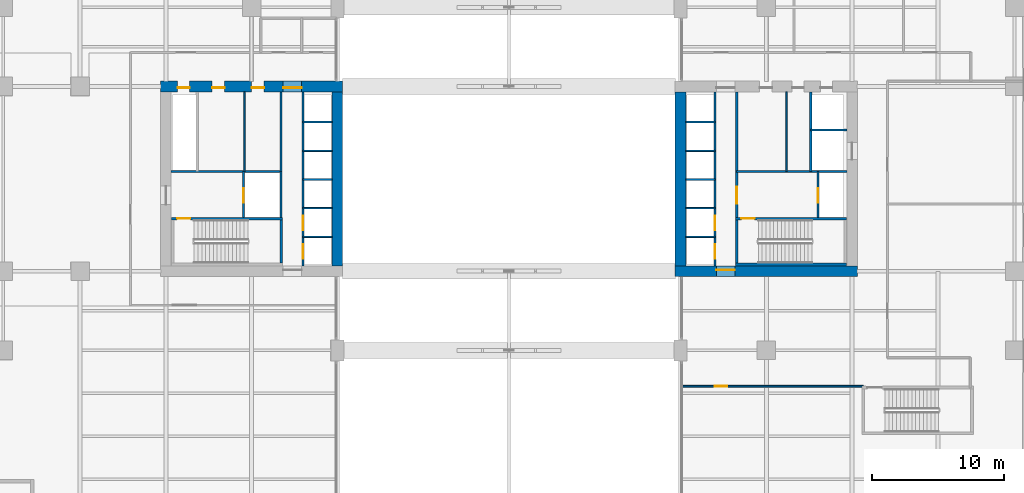
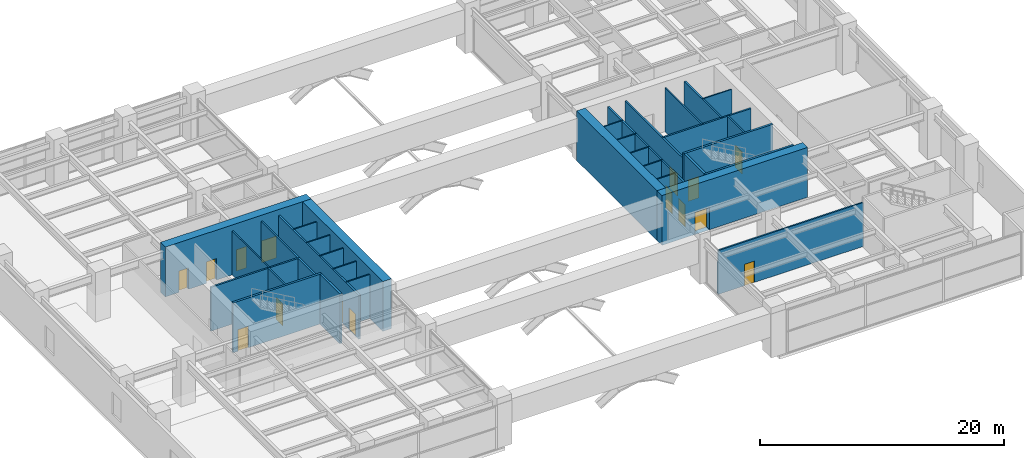
# One storey, part 16 of 23: 33 walls, 15 doors, 15 openings.
"""IFC4 building model written with IfcOpenShell, lengths in metres."""

import ifcopenshell
import ifcopenshell.guid

model = None  # the IFC model being written
_history = None  # IfcOwnerHistory: only IFC2X3 demands one
_inside = {}  # id of a spatial element -> (the spatial element, [elements in it])
_under = {}  # id of a project, library or spatial element -> (it, [spatial elements below it])
_declared = {}  # id of a project -> (the project, [libraries it declares])
_typed = {}  # id of a type object -> (the type object, [elements of that type])
_made_of = {}  # id of a material, layer set ... -> (it, [elements and type objects made of it])


def new_model(schema):
    """Start an empty IFC model of exactly this schema.

    Asked for "IFC4X3", IfcOpenShell would pick the latest addendum, in which some entities
    have other attributes; the version numbers below select the first issue.
    IFC2X3 requires an IfcOwnerHistory on every rooted entity: one is made here for all.
    """
    global model, _history
    if schema == "IFC4X3":
        model = ifcopenshell.file(schema_version=(4, 3, 0, 0))
    else:
        model = ifcopenshell.file(schema=schema)
    _inside.clear()
    _under.clear()
    _declared.clear()
    _typed.clear()
    _made_of.clear()
    _history = None
    if model.schema == "IFC2X3":
        org = make("IfcOrganization", Name="unknown")
        user = make(
            "IfcPersonAndOrganization",
            ThePerson=make("IfcPerson", FamilyName="unknown"),
            TheOrganization=org,
        )
        app = make(
            "IfcApplication",
            ApplicationDeveloper=org,
            Version="unknown",
            ApplicationFullName="unknown",
            ApplicationIdentifier="unknown",
        )
        _history = make(
            "IfcOwnerHistory",
            OwningUser=user,
            OwningApplication=app,
            ChangeAction="ADDED",
            CreationDate=0,
        )
    return model


def make(cls, **values):
    """One entity of the class cls with the attributes given. An attribute that is None is left unset."""
    return model.create_entity(
        cls, **{name: value for name, value in values.items() if value is not None}
    )


def rooted(cls, **values):
    """An entity with a GlobalId (a new one), such as an element, a storey or a relation."""
    return make(cls, GlobalId=ifcopenshell.guid.new(), OwnerHistory=_history, **values)


def si_unit(unit_type, name, prefix=None):
    """IfcSIUnit, for example si_unit("LENGTHUNIT", "METRE", prefix="MILLI")."""
    return make("IfcSIUnit", UnitType=unit_type, Prefix=prefix, Name=name)


def assignment(units):
    """IfcUnitAssignment: the units of a project."""
    return None if units is None else make("IfcUnitAssignment", Units=units)


def point(xyz):
    """IfcCartesianPoint."""
    return None if xyz is None else make("IfcCartesianPoint", Coordinates=xyz)


def direction(xyz):
    """IfcDirection."""
    return None if xyz is None else make("IfcDirection", DirectionRatios=xyz)


def frame(location, z_axis=None, x_axis=None):
    """IfcAxis2Placement3D, a coordinate frame: its origin and axes. An axis left out is left unset."""
    return make(
        "IfcAxis2Placement3D",
        Location=point(location),
        Axis=direction(z_axis),
        RefDirection=direction(x_axis),
    )


def frame_2d(location, x_axis=None):
    """IfcAxis2Placement2D, a coordinate frame in the plane: its origin and x axis."""
    return make(
        "IfcAxis2Placement2D", Location=point(location), RefDirection=direction(x_axis)
    )


def origin():
    """The frame at (0, 0, 0) with its axes left unset."""
    return frame((0.0, 0.0, 0.0))


def place(relative_to, where):
    """IfcLocalPlacement: puts the frame where relative to a parent placement (None: the world)."""
    return make(
        "IfcLocalPlacement", PlacementRelTo=relative_to, RelativePlacement=where
    )


def context(
    kind, dimensions, precision=None, world=None, true_north=None, identifier=None
):
    """IfcGeometricRepresentationContext, for example the 3D "Model" context."""
    return make(
        "IfcGeometricRepresentationContext",
        ContextIdentifier=identifier,
        ContextType=kind,
        CoordinateSpaceDimension=dimensions,
        Precision=precision,
        WorldCoordinateSystem=world,
        TrueNorth=true_north,
    )


def subcontext(parent, identifier, kind, view, scale=None):
    """IfcGeometricRepresentationSubContext, for example "Body" below "Model"."""
    return make(
        "IfcGeometricRepresentationSubContext",
        ContextIdentifier=identifier,
        ContextType=kind,
        ParentContext=parent,
        TargetScale=scale,
        TargetView=view,
    )


def project(units=None, contexts=None):
    """IfcProject with its units and contexts."""
    return rooted(
        "IfcProject",
        Name="project",
        RepresentationContexts=contexts,
        UnitsInContext=assignment(units),
    )


def spatial(cls, under=None, at=None, **own):
    """A site, building, storey or space (cls), placed at a placement, below another one or the project."""
    s = rooted(cls, ObjectPlacement=at, **own)
    if under is not None:
        _under.setdefault(under.id(), (under, []))[1].append(s)
    return s


def profile(cls, at=None, kind="AREA", **sizes):
    """A parametric profile (cls). Its sizes go by their IFC names, for example OverallWidth=200.0."""
    return make(cls, ProfileType=kind, Position=at, **sizes)


def rectangle(**sizes):
    """IfcRectangleProfileDef."""
    return profile("IfcRectangleProfileDef", **sizes)


def extrude(swept, where, along, depth):
    """IfcExtrudedAreaSolid: the profile swept, set in the frame where, extruded along a direction by depth."""
    return make(
        "IfcExtrudedAreaSolid",
        SweptArea=swept,
        Position=where,
        ExtrudedDirection=direction(along),
        Depth=depth,
    )


def shape(context_of_items, identifier, shape_type, items):
    """IfcShapeRepresentation: the items that make up one representation, for example the "Body"."""
    return make(
        "IfcShapeRepresentation",
        ContextOfItems=context_of_items,
        RepresentationIdentifier=identifier,
        RepresentationType=shape_type,
        Items=items,
    )


def material(Name=None, Category=None):
    """IfcMaterial."""
    return make("IfcMaterial", Name=Name, Category=Category)


def layer(
    of_material, thickness, ventilated=None, Name=None, Category=None, Priority=None
):
    """IfcMaterialLayer: one layer of a wall or slab, of a material (None: an air gap)."""
    return make(
        "IfcMaterialLayer",
        Material=of_material,
        LayerThickness=thickness,
        IsVentilated=ventilated,
        Name=Name,
        Category=Category,
        Priority=Priority,
    )


def layer_set(layers, Name=None):
    """IfcMaterialLayerSet."""
    return make("IfcMaterialLayerSet", MaterialLayers=layers, LayerSetName=Name)


def made_of(thing, what):
    """Note that an element or type object is made of a material, layer set ...; save() writes the relation."""
    if what is not None:
        _made_of.setdefault(what.id(), (what, []))[1].append(thing)
    return thing


def type_object(cls, material=None, **own):
    """A type object (cls), such as IfcWallType, which elements share."""
    return made_of(rooted(cls, **own), material)


def element(
    cls,
    number,
    at=None,
    inside=None,
    cuts=None,
    type_object=None,
    material=None,
    context=None,
    identifier="Body",
    shape_type=None,
    held_by="IfcProductDefinitionShape",
    body=None,
    shapes=None,
    **own,
):
    """One element of the class cls, such as IfcWall. Its Tag is "e" and its number.

    at: its placement. inside: the storey or other place that contains it. cuts: it is an
    opening in that element (IfcRelVoidsElement). A single representation is given by context,
    identifier, shape_type and body (its items); several are given by shapes. held_by: the class
    of the entity that holds the representations. save() writes the other relations.
    """
    e = rooted(cls, Tag="e%d" % number, ObjectPlacement=at, **own)
    if body is not None:
        shapes = [shape(context, identifier, shape_type, body)]
    if shapes is not None:
        e.Representation = make(held_by, Representations=shapes)
    if inside is not None:
        _inside.setdefault(inside.id(), (inside, []))[1].append(e)
    if cuts is not None:
        rooted(
            "IfcRelVoidsElement", RelatingBuildingElement=cuts, RelatedOpeningElement=e
        )
    if type_object is not None:
        _typed.setdefault(type_object.id(), (type_object, []))[1].append(e)
    return made_of(e, material)


def fill(opening, filler):
    """IfcRelFillsElement: the door or window that sits in an opening."""
    return rooted(
        "IfcRelFillsElement",
        RelatingOpeningElement=opening,
        RelatedBuildingElement=filler,
    )


def aggregate(whole, parts):
    """IfcRelAggregates: a whole, such as a stair, and the parts it consists of."""
    return rooted("IfcRelAggregates", RelatingObject=whole, RelatedObjects=parts)


def save(model, path):
    """Write the relations noted so far, then the file.

    IfcRelAggregates (storeys below a building ...), IfcRelContainedInSpatialStructure (elements
    in a storey), IfcRelDefinesByType, IfcRelAssociatesMaterial and IfcRelDeclares: one each for
    every whole, place, type object, material and project.
    """
    for whole, parts in _under.values():
        aggregate(whole, parts)
    for where, things in _inside.values():
        rooted(
            "IfcRelContainedInSpatialStructure",
            RelatedElements=things,
            RelatingStructure=where,
        )
    for kind, things in _typed.values():
        rooted("IfcRelDefinesByType", RelatedObjects=things, RelatingType=kind)
    for what, things in _made_of.values():
        rooted("IfcRelAssociatesMaterial", RelatedObjects=things, RelatingMaterial=what)
    for by, libraries in _declared.values():
        rooted("IfcRelDeclares", RelatingContext=by, RelatedDefinitions=libraries)
    model.write(path)


model = new_model("IFC4")

# Units and contexts
model_context = context("Model", 3, precision=1e-05, world=origin(), true_north=direction((0.0, 1.0)))
body_context = subcontext(model_context, "Body", "Model", "MODEL_VIEW")
ifc_project = project(units=[si_unit("LENGTHUNIT", "METRE"), si_unit("AREAUNIT", "SQUARE_METRE"), si_unit("VOLUMEUNIT", "CUBIC_METRE"), si_unit("PLANEANGLEUNIT", "RADIAN"), si_unit("MASSUNIT", "GRAM", prefix="KILO")], contexts=[model_context])

# Site, building, storey
site_placement = place(None, origin())
site = spatial("IfcSite", under=ifc_project, at=site_placement, CompositionType="ELEMENT")
building_placement = place(site_placement, origin())
building = spatial("IfcBuilding", under=site, at=building_placement, Name="Putna Gate Headquarters", CompositionType="ELEMENT")
storey_placement = place(building_placement, frame((0.0, 0.0, 17.0)))
storey = spatial("IfcBuildingStorey", under=building, at=storey_placement, Name="L03", CompositionType="ELEMENT", Elevation=17.0)

# Wall, openings, doors
ifc_material_1 = material(Name="Concrete C60/75", Category="concrete")
ifc_layer_1 = layer(ifc_material_1, 0.800048828125)
ifc_layer_set_1 = layer_set([ifc_layer_1], Name="Concrete C60/75")
wall_type_1 = type_object("IfcWallType", Name="WALL-CORE-800", PredefinedType="SHEAR", material=ifc_layer_set_1)
wall_1_placement = place(storey_placement, frame((12.60009765625, 33.0, 0.0), z_axis=(0.0, 0.0, 1.0), x_axis=(1.0, 0.0, 0.0)))
wall_1 = element("IfcWall", 1, at=wall_1_placement, inside=storey, type_object=wall_type_1, Name="L03 WC Split Core Shear Wall N", PredefinedType="SHEAR", context=body_context, shape_type="SweptSolid", body=[
    extrude(rectangle(XDim=13.7998046875, YDim=0.800048828125, at=frame_2d((6.89990234375, 0.0))), origin(), (0.0, 0.0, 1.0), 5.0),
])
opening_1_placement = place(wall_1_placement, frame((1.300048828125, 0.0, 0.0)))
opening_1 = element("IfcOpeningElement", 2, at=opening_1_placement, cuts=wall_1, Name="Opening RD-90", PredefinedType="OPENING", context=body_context, shape_type="SweptSolid", body=[
    extrude(rectangle(XDim=0.89990234375, YDim=2.14990234375, at=frame_2d((0.449951171875, 1.074951171875))), frame((0.0, 0.409912109375, 0.0), z_axis=(0.0, -1.0, 0.0), x_axis=(1.0, 0.0, 0.0)), (0.0, 0.0, 1.0), 0.820068359375),
])
opening_2_placement = place(wall_1_placement, frame((3.89990234375, 0.0, 0.0)))
opening_2 = element("IfcOpeningElement", 3, at=opening_2_placement, cuts=wall_1, Name="Opening IDS-95", PredefinedType="OPENING", context=body_context, shape_type="SweptSolid", body=[
    extrude(rectangle(XDim=0.949951171875, YDim=2.14990234375, at=frame_2d((0.47509765625, 1.074951171875))), frame((0.0, 0.409912109375, 0.0), z_axis=(0.0, -1.0, 0.0), x_axis=(1.0, 0.0, 0.0)), (0.0, 0.0, 1.0), 0.820068359375),
])
opening_3_placement = place(wall_1_placement, frame((6.89990234375, 0.0, 0.0)))
opening_3 = element("IfcOpeningElement", 4, at=opening_3_placement, cuts=wall_1, Name="Opening IDS-95", PredefinedType="OPENING", context=body_context, shape_type="SweptSolid", body=[
    extrude(rectangle(XDim=0.949951171875, YDim=2.14990234375, at=frame_2d((0.47509765625, 1.074951171875))), frame((0.0, 0.409912109375, 0.0), z_axis=(0.0, -1.0, 0.0), x_axis=(1.0, 0.0, 0.0)), (0.0, 0.0, 1.0), 0.820068359375),
])
opening_4_placement = place(wall_1_placement, frame((9.280029296875, 0.0, 0.0)))
opening_4 = element("IfcOpeningElement", 5, at=opening_4_placement, cuts=wall_1, Name="Opening FDD-140", PredefinedType="OPENING", context=body_context, shape_type="SweptSolid", body=[
    extrude(rectangle(XDim=1.39990234375, YDim=2.199951171875, at=frame_2d((0.699951171875, 1.10009765625))), frame((0.0, 0.409912109375, 0.0), z_axis=(0.0, -1.0, 0.0), x_axis=(1.0, 0.0, 0.0)), (0.0, 0.0, 1.0), 0.820068359375),
])
ifc_material_2 = material(Name="Double steel fire door", Category="steel")
door_type_1 = type_object("IfcDoorType", Name="DOOR-FIRE-DBL-1400", OperationType="DOUBLE_DOOR_SINGLE_SWING", PredefinedType="DOOR", material=ifc_material_2)
door_1_placement = place(opening_4_placement, origin())
door_1 = element("IfcDoor", 6, at=door_1_placement, inside=storey, type_object=door_type_1, Name="L03 West Lift Lobby North Door", OperationType="DOUBLE_DOOR_SINGLE_SWING", OverallHeight=2.199951171875, OverallWidth=1.39990234375, PredefinedType="DOOR", context=body_context, shape_type="SweptSolid", body=[
    extrude(rectangle(XDim=1.39990234375, YDim=2.199951171875, at=frame_2d((0.699951171875, 1.10009765625))), frame((0.0, -0.0751953125, 0.0), z_axis=(0.0, -1.0, 0.0), x_axis=(1.0, 0.0, 0.0)), (0.0, 0.0, 1.0), 0.050048828125),
])
fill(opening_4, door_1)
ifc_material_3 = material(Name="Fire-rated service timber door", Category="wood")
door_type_2 = type_object("IfcDoorType", Name="DOOR-INT-950", OperationType="NOTDEFINED", PredefinedType="DOOR", material=ifc_material_3)
door_2_placement = place(opening_2_placement, origin())
door_2 = element("IfcDoor", 7, at=door_2_placement, inside=storey, type_object=door_type_2, Name="L03 Cleaner Store Door", OperationType="SINGLE_SWING_LEFT", OverallHeight=2.14990234375, OverallWidth=0.949951171875, PredefinedType="DOOR", context=body_context, shape_type="SweptSolid", body=[
    extrude(rectangle(XDim=0.949951171875, YDim=2.14990234375, at=frame_2d((0.47509765625, 1.074951171875))), frame((0.0, -0.0751953125, 0.0), z_axis=(0.0, -1.0, 0.0), x_axis=(1.0, 0.0, 0.0)), (0.0, 0.0, 1.0), 0.050048828125),
])
fill(opening_2, door_2)
door_3_placement = place(opening_3_placement, origin())
door_3 = element("IfcDoor", 8, at=door_3_placement, inside=storey, type_object=door_type_2, Name="L03 Comms Plant Door", OperationType="SINGLE_SWING_RIGHT", OverallHeight=2.14990234375, OverallWidth=0.949951171875, PredefinedType="DOOR", context=body_context, shape_type="SweptSolid", body=[
    extrude(rectangle(XDim=0.949951171875, YDim=2.14990234375, at=frame_2d((0.47509765625, 1.074951171875))), frame((0.0, -0.0751953125, 0.0), z_axis=(0.0, -1.0, 0.0), x_axis=(1.0, 0.0, 0.0)), (0.0, 0.0, 1.0), 0.050048828125),
])
fill(opening_3, door_3)
ifc_material_4 = material(Name="Steel riser access fire door", Category="steel")
door_type_3 = type_object("IfcDoorType", Name="DOOR-RISER-900", OperationType="NOTDEFINED", PredefinedType="DOOR", material=ifc_material_4)
door_4_placement = place(opening_1_placement, origin())
door_4 = element("IfcDoor", 9, at=door_4_placement, inside=storey, type_object=door_type_3, Name="L03 West Riser Access Door", OperationType="SINGLE_SWING_RIGHT", OverallHeight=2.14990234375, OverallWidth=0.89990234375, PredefinedType="DOOR", context=body_context, shape_type="SweptSolid", body=[
    extrude(rectangle(XDim=0.89990234375, YDim=2.14990234375, at=frame_2d((0.449951171875, 1.074951171875))), frame((0.0, -0.0751953125, 0.0), z_axis=(0.0, -1.0, 0.0), x_axis=(1.0, 0.0, 0.0)), (0.0, 0.0, 1.0), 0.050048828125),
])
fill(opening_1, door_4)

# Wall
wall_2_placement = place(storey_placement, frame((26.0, 19.39990234375, 0.0), z_axis=(0.0, 0.0, 1.0), x_axis=(0.0, 1.0, 0.0)))
element("IfcWall", 10, at=wall_2_placement, inside=storey, type_object=wall_type_1, Name="L03 WC Split Core Shear Wall E", PredefinedType="SHEAR", context=body_context, shape_type="SweptSolid", body=[
    extrude(rectangle(XDim=13.2001953125, YDim=0.800048828125, at=frame_2d((6.60009765625, 0.0))), origin(), (0.0, 0.0, 1.0), 5.0),
])

# Wall, opening, door
wall_3_placement = place(storey_placement, frame((51.60009765625, 19.0, 0.0), z_axis=(0.0, 0.0, 1.0), x_axis=(1.0, 0.0, 0.0)))
wall_3 = element("IfcWall", 11, at=wall_3_placement, inside=storey, type_object=wall_type_1, Name="L03 EC Split Core Shear Wall S", PredefinedType="SHEAR", context=body_context, shape_type="SweptSolid", body=[
    extrude(rectangle(XDim=13.7998046875, YDim=0.800048828125, at=frame_2d((6.89990234375, 0.0))), origin(), (0.0, 0.0, 1.0), 5.0),
])
opening_5_placement = place(wall_3_placement, frame((3.1201171875, 0.0, 0.0)))
opening_5 = element("IfcOpeningElement", 12, at=opening_5_placement, cuts=wall_3, Name="Opening FDD-140", PredefinedType="OPENING", context=body_context, shape_type="SweptSolid", body=[
    extrude(rectangle(XDim=1.39990234375, YDim=2.199951171875, at=frame_2d((0.699951171875, 1.10009765625))), frame((0.0, 0.409912109375, 0.0), z_axis=(0.0, -1.0, 0.0), x_axis=(1.0, 0.0, 0.0)), (0.0, 0.0, 1.0), 0.820068359375),
])
door_5_placement = place(opening_5_placement, origin())
door_5 = element("IfcDoor", 13, at=door_5_placement, inside=storey, type_object=door_type_1, Name="L03 East Lift Lobby South Door", OperationType="DOUBLE_DOOR_SINGLE_SWING", OverallHeight=2.199951171875, OverallWidth=1.39990234375, PredefinedType="DOOR", context=body_context, shape_type="SweptSolid", body=[
    extrude(rectangle(XDim=1.39990234375, YDim=2.199951171875, at=frame_2d((0.699951171875, 1.10009765625))), frame((0.0, 0.125, 0.0), z_axis=(0.0, -1.0, 0.0), x_axis=(1.0, 0.0, 0.0)), (0.0, 0.0, 1.0), 0.050048828125),
])
fill(opening_5, door_5)

# Walls
wall_4_placement = place(storey_placement, frame((52.0, 19.39990234375, 0.0), z_axis=(0.0, 0.0, 1.0), x_axis=(0.0, 1.0, 0.0)))
element("IfcWall", 14, at=wall_4_placement, inside=storey, type_object=wall_type_1, Name="L03 EC Split Core Shear Wall W", PredefinedType="SHEAR", context=body_context, shape_type="SweptSolid", body=[
    extrude(rectangle(XDim=13.2001953125, YDim=0.800048828125, at=frame_2d((6.60009765625, 0.0))), origin(), (0.0, 0.0, 1.0), 5.0),
])
ifc_material_5 = material(Name="Fire-rated shaftwall gypsum board on metal stud")
ifc_layer_2 = layer(ifc_material_5, 0.1201171875)
ifc_layer_set_2 = layer_set([ifc_layer_2], Name="Fire-rated shaftwall gypsum board on metal stud")
wall_type_2 = type_object("IfcWallType", Name="WALL-PART-120-EI120", PredefinedType="PARTITIONING", material=ifc_layer_set_2)
for number, where, z_axis, x_axis, name in (
    (15, (23.39990234375, 21.610107421875, 0.0), (0.0, 0.0, 1.0), (1.0, 0.0, 0.0), "L03 Interior Wall CWINT-L03-WC-LF01-DIV"),
    (16, (23.39990234375, 23.780029296875, 0.0), (0.0, 0.0, 1.0), (1.0, 0.0, 0.0), "L03 Interior Wall CWINT-L03-WC-LF02-DIV"),
    (17, (23.39990234375, 25.949951171875, 0.0), (0.0, 0.0, 1.0), (1.0, 0.0, 0.0), "L03 Interior Wall CWINT-L03-WC-LF05-DIV"),
    (18, (23.39990234375, 28.1201171875, 0.0), (0.0, 0.0, 1.0), (1.0, 0.0, 0.0), "L03 Interior Wall CWINT-L03-WC-LF06-DIV"),
    (19, (23.39990234375, 30.31005859375, 0.0), (0.0, 0.0, 1.0), (1.0, 0.0, 0.0), "L03 Interior Wall CWINT-L03-WC-LF09-DIV"),
    (20, (52.39990234375, 21.610107421875, 0.0), (0.0, 0.0, 1.0), (1.0, 0.0, 0.0), "L03 Interior Wall CWINT-L03-EC-LF03-DIV"),
    (21, (52.39990234375, 23.780029296875, 0.0), (0.0, 0.0, 1.0), (1.0, 0.0, 0.0), "L03 Interior Wall CWINT-L03-EC-LF04-DIV"),
    (22, (52.39990234375, 25.949951171875, 0.0), (0.0, 0.0, 1.0), (1.0, 0.0, 0.0), "L03 Interior Wall CWINT-L03-EC-LF07-DIV"),
    (23, (52.39990234375, 28.1201171875, 0.0), (0.0, 0.0, 1.0), (1.0, 0.0, 0.0), "L03 Interior Wall CWINT-L03-EC-LF08-DIV"),
    (24, (52.39990234375, 30.31005859375, 0.0), (0.0, 0.0, 1.0), (1.0, 0.0, 0.0), "L03 Interior Wall CWINT-L03-EC-LF11-DIV"),
):
    element("IfcWall", number, at=place(storey_placement, frame(where, z_axis=z_axis, x_axis=x_axis)), inside=storey, type_object=wall_type_2, Name=name, PredefinedType="PARTITIONING", context=body_context, shape_type="SweptSolid", body=[
        extrude(rectangle(XDim=2.2001953125, YDim=0.1201171875, at=frame_2d((1.10009765625, 0.0))), origin(), (0.0, 0.0, 1.0), 4.39990234375),
    ])
wall_5_placement = place(storey_placement, frame((61.8701171875, 29.699951171875, 0.0), z_axis=(0.0, 0.0, 1.0), x_axis=(1.0, 0.0, 0.0)))
element("IfcWall", 25, at=wall_5_placement, inside=storey, type_object=wall_type_2, Name="L03 Interior Wall CWINT-L03-EC-LF15-N", PredefinedType="PARTITIONING", context=body_context, shape_type="SweptSolid", body=[
    extrude(rectangle(XDim=2.72998046875, YDim=0.1201171875, at=frame_2d((1.364990234375, 0.0))), origin(), (0.0, 0.0, 1.0), 4.39990234375),
])
ifc_material_6 = material(Name="Fire-rated gypsum board on metal stud")
ifc_layer_3 = layer(ifc_material_6, 0.1201171875)
ifc_layer_set_3 = layer_set([ifc_layer_3], Name="Fire-rated gypsum board on metal stud")
wall_type_3 = type_object("IfcWallType", Name="WALL-PART-120-RATED", PredefinedType="PARTITIONING", material=ifc_layer_set_3)
for number, where, z_axis, x_axis, name in (
    (26, (18.969970703125, 26.56005859375, 0.0), (0.0, 0.0, 1.0), (0.0, 1.0, 0.0), "L03 Interior Wall CWINT-L03-WC-K0-DIV"),
    (27, (60.02001953125, 26.56005859375, 0.0), (0.0, 0.0, 1.0), (0.0, 1.0, 0.0), "L03 Interior Wall CWINT-L03-EC-K0-DIV"),
):
    element("IfcWall", number, at=place(storey_placement, frame(where, z_axis=z_axis, x_axis=x_axis)), inside=storey, type_object=wall_type_3, Name=name, PredefinedType="PARTITIONING", context=body_context, shape_type="SweptSolid", body=[
        extrude(rectangle(XDim=6.0400390625, YDim=0.1201171875, at=frame_2d((3.02001953125, 0.0))), origin(), (0.0, 0.0, 1.0), 4.39990234375),
    ])

# Wall, opening, door
ifc_layer_4 = layer(ifc_material_6, 0.139892578125)
ifc_layer_set_4 = layer_set([ifc_layer_4], Name="Fire-rated gypsum board on metal stud")
wall_type_4 = type_object("IfcWallType", Name="WALL-PART-140", PredefinedType="PARTITIONING", material=ifc_layer_set_4)
wall_6_placement = place(storey_placement, frame((52.080078125, 10.280029296875, 0.0), z_axis=(0.0, 0.0, 1.0), x_axis=(1.0, 0.0, 0.0)))
wall_6 = element("IfcWall", 28, at=wall_6_placement, inside=storey, type_object=wall_type_4, Name="L03 Interior Wall PART-L03-EAD", PredefinedType="PARTITIONING", context=body_context, shape_type="SweptSolid", body=[
    extrude(rectangle(XDim=13.780029296875, YDim=0.139892578125, at=frame_2d((6.89013671875, 0.0))), origin(), (0.0, 0.0, 1.0), 4.39990234375),
])
opening_6_placement = place(wall_6_placement, frame((2.5, 0.0, 0.0)))
opening_6 = element("IfcOpeningElement", 29, at=opening_6_placement, cuts=wall_6, Name="Opening IDS-95", PredefinedType="OPENING", context=body_context, shape_type="SweptSolid", body=[
    extrude(rectangle(XDim=0.949951171875, YDim=2.14990234375, at=frame_2d((0.47509765625, 1.074951171875))), frame((0.0, 0.079833984375, 0.0), z_axis=(0.0, -1.0, 0.0), x_axis=(1.0, 0.0, 0.0)), (0.0, 0.0, 1.0), 0.159912109375),
])
door_6_placement = place(opening_6_placement, origin())
door_6 = element("IfcDoor", 30, at=door_6_placement, inside=storey, type_object=door_type_2, Name="L03 Management Office Door", OperationType="SINGLE_SWING_LEFT", OverallHeight=2.14990234375, OverallWidth=0.949951171875, PredefinedType="DOOR", context=body_context, shape_type="SweptSolid", body=[
    extrude(rectangle(XDim=0.949951171875, YDim=2.14990234375, at=frame_2d((0.47509765625, 1.074951171875))), frame((0.0, 0.02490234375, 0.0), z_axis=(0.0, -1.0, 0.0), x_axis=(1.0, 0.0, 0.0)), (0.0, 0.0, 1.0), 0.050048828125),
])
fill(opening_6, door_6)

# Wall
ifc_material_7 = material(Name="Concrete C40/50", Category="concrete")
ifc_layer_5 = layer(ifc_material_7, 0.159912109375)
ifc_layer_set_5 = layer_set([ifc_layer_5], Name="Concrete C40/50")
wall_type_5 = type_object("IfcWallType", Name="WALL-SHAFT-160", PredefinedType="STANDARD", material=ifc_layer_set_5)
wall_7_placement = place(storey_placement, frame((21.739990234375, 23.090087890625, 0.0), z_axis=(0.0, 0.0, 1.0), x_axis=(0.0, 1.0, 0.0)))
element("IfcWall", 31, at=wall_7_placement, inside=storey, type_object=wall_type_5, Name="L03 Interior Wall CWINT-L03-WC-FFL-E", PredefinedType="STANDARD", context=body_context, shape_type="SweptSolid", body=[
    extrude(rectangle(XDim=3.469970703125, YDim=0.159912109375, at=frame_2d((1.73486328125, 0.0))), origin(), (0.0, 0.0, 1.0), 4.39990234375),
])

# Wall, opening, door
wall_8_placement = place(storey_placement, frame((18.8798828125, 23.090087890625, 0.0), z_axis=(0.0, 0.0, 1.0), x_axis=(0.0, 1.0, 0.0)))
wall_8 = element("IfcWall", 32, at=wall_8_placement, inside=storey, type_object=wall_type_5, Name="L03 Interior Wall CWINT-L03-WC-LF13-W", PredefinedType="STANDARD", context=body_context, shape_type="SweptSolid", body=[
    extrude(rectangle(XDim=3.469970703125, YDim=0.159912109375, at=frame_2d((1.73486328125, 0.0))), origin(), (0.0, 0.0, 1.0), 4.39990234375),
])
opening_7_placement = place(wall_8_placement, frame((1.10009765625, 0.0, 0.0)))
opening_7 = element("IfcOpeningElement", 33, at=opening_7_placement, cuts=wall_8, Name="Opening LD-1", PredefinedType="OPENING", context=body_context, shape_type="SweptSolid", body=[
    extrude(rectangle(XDim=1.10009765625, YDim=2.199951171875, at=frame_2d((0.550048828125, 1.10009765625))), frame((0.0, 0.08984375, 0.0), z_axis=(0.0, -1.0, 0.0), x_axis=(1.0, 0.0, 0.0)), (0.0, 0.0, 1.0), 0.179931640625),
])
ifc_material_8 = material(Name="Brushed bronze stainless lift landing door")
door_type_4 = type_object("IfcDoorType", Name="DOOR-LIFT-1100", OperationType="DOUBLE_DOOR_SLIDING", PredefinedType="DOOR", material=ifc_material_8)
door_7_placement = place(opening_7_placement, origin())
door_7 = element("IfcDoor", 34, at=door_7_placement, inside=storey, type_object=door_type_4, Name="L03 Lift Landing Door LD-13", OperationType="DOUBLE_DOOR_SLIDING", OverallHeight=2.199951171875, OverallWidth=1.10009765625, PredefinedType="DOOR", context=body_context, shape_type="SweptSolid", body=[
    extrude(rectangle(XDim=1.10009765625, YDim=2.199951171875, at=frame_2d((0.550048828125, 1.10009765625))), frame((0.0, 0.02490234375, 0.0), z_axis=(0.0, -1.0, 0.0), x_axis=(1.0, 0.0, 0.0)), (0.0, 0.0, 1.0), 0.050048828125),
])
fill(opening_7, door_7)

# Walls
wall_9_placement = place(storey_placement, frame((13.39990234375, 26.56005859375, 0.0), z_axis=(0.0, 0.0, 1.0), x_axis=(1.0, 0.0, 0.0)))
element("IfcWall", 35, at=wall_9_placement, inside=storey, type_object=wall_type_5, Name="L03 Interior Wall CWINT-L03-WC-FFL-N", PredefinedType="STANDARD", context=body_context, shape_type="SweptSolid", body=[
    extrude(rectangle(XDim=8.340087890625, YDim=0.159912109375, at=frame_2d((4.169921875, 0.0))), origin(), (0.0, 0.0, 1.0), 4.39990234375),
])
wall_10_placement = place(storey_placement, frame((21.739990234375, 26.56005859375, 0.0), z_axis=(0.0, 0.0, 1.0), x_axis=(0.0, 1.0, 0.0)))
element("IfcWall", 36, at=wall_10_placement, inside=storey, type_object=wall_type_5, Name="L03 Interior Wall CWINT-L03-WC-LOB-W", PredefinedType="STANDARD", context=body_context, shape_type="SweptSolid", body=[
    extrude(rectangle(XDim=6.0400390625, YDim=0.159912109375, at=frame_2d((3.02001953125, 0.0))), origin(), (0.0, 0.0, 1.0), 4.39990234375),
])

# Wall, openings, doors
wall_11_placement = place(storey_placement, frame((23.39990234375, 19.39990234375, 0.0), z_axis=(0.0, 0.0, 1.0), x_axis=(0.0, 1.0, 0.0)))
wall_11 = element("IfcWall", 37, at=wall_11_placement, inside=storey, type_object=wall_type_5, Name="L03 Interior Wall CWINT-L03-WC-PL-WALL", PredefinedType="STANDARD", context=body_context, shape_type="SweptSolid", body=[
    extrude(rectangle(XDim=13.2001953125, YDim=0.159912109375, at=frame_2d((6.60009765625, 0.0))), origin(), (0.0, 0.0, 1.0), 4.39990234375),
])
opening_8_placement = place(wall_11_placement, frame((0.550048828125, 0.0, 0.0)))
opening_8 = element("IfcOpeningElement", 38, at=opening_8_placement, cuts=wall_11, Name="Opening LD-1", PredefinedType="OPENING", context=body_context, shape_type="SweptSolid", body=[
    extrude(rectangle(XDim=1.10009765625, YDim=2.199951171875, at=frame_2d((0.550048828125, 1.10009765625))), frame((0.0, 0.08984375, 0.0), z_axis=(0.0, -1.0, 0.0), x_axis=(1.0, 0.0, 0.0)), (0.0, 0.0, 1.0), 0.179931640625),
])
opening_9_placement = place(wall_11_placement, frame((2.699951171875, 0.0, 0.0)))
opening_9 = element("IfcOpeningElement", 39, at=opening_9_placement, cuts=wall_11, Name="Opening LD-1", PredefinedType="OPENING", context=body_context, shape_type="SweptSolid", body=[
    extrude(rectangle(XDim=1.10009765625, YDim=2.199951171875, at=frame_2d((0.550048828125, 1.10009765625))), frame((0.0, 0.08984375, 0.0), z_axis=(0.0, -1.0, 0.0), x_axis=(1.0, 0.0, 0.0)), (0.0, 0.0, 1.0), 0.179931640625),
])
door_8_placement = place(opening_8_placement, origin())
door_8 = element("IfcDoor", 40, at=door_8_placement, inside=storey, type_object=door_type_4, Name="L03 Lift Landing Door LD-01", OperationType="DOUBLE_DOOR_SLIDING", OverallHeight=2.199951171875, OverallWidth=1.10009765625, PredefinedType="DOOR", context=body_context, shape_type="SweptSolid", body=[
    extrude(rectangle(XDim=1.10009765625, YDim=2.199951171875, at=frame_2d((0.550048828125, 1.10009765625))), frame((0.0, 0.02490234375, 0.0), z_axis=(0.0, -1.0, 0.0), x_axis=(1.0, 0.0, 0.0)), (0.0, 0.0, 1.0), 0.050048828125),
])
fill(opening_8, door_8)
door_9_placement = place(opening_9_placement, origin())
door_9 = element("IfcDoor", 41, at=door_9_placement, inside=storey, type_object=door_type_4, Name="L03 Lift Landing Door LD-02", OperationType="DOUBLE_DOOR_SLIDING", OverallHeight=2.199951171875, OverallWidth=1.10009765625, PredefinedType="DOOR", context=body_context, shape_type="SweptSolid", body=[
    extrude(rectangle(XDim=1.10009765625, YDim=2.199951171875, at=frame_2d((0.550048828125, 1.10009765625))), frame((0.0, 0.02490234375, 0.0), z_axis=(0.0, -1.0, 0.0), x_axis=(1.0, 0.0, 0.0)), (0.0, 0.0, 1.0), 0.050048828125),
])
fill(opening_9, door_9)

wall_12_placement = place(storey_placement, frame((54.60009765625, 19.39990234375, 0.0), z_axis=(0.0, 0.0, 1.0), x_axis=(0.0, 1.0, 0.0)))
wall_12 = element("IfcWall", 42, at=wall_12_placement, inside=storey, type_object=wall_type_5, Name="L03 Interior Wall CWINT-L03-EC-PL-WALL", PredefinedType="STANDARD", context=body_context, shape_type="SweptSolid", body=[
    extrude(rectangle(XDim=13.2001953125, YDim=0.159912109375, at=frame_2d((6.60009765625, 0.0))), origin(), (0.0, 0.0, 1.0), 4.39990234375),
])
opening_10_placement = place(wall_12_placement, frame((0.550048828125, 0.0, 0.0)))
opening_10 = element("IfcOpeningElement", 43, at=opening_10_placement, cuts=wall_12, Name="Opening LD-1", PredefinedType="OPENING", context=body_context, shape_type="SweptSolid", body=[
    extrude(rectangle(XDim=1.10009765625, YDim=2.199951171875, at=frame_2d((0.550048828125, 1.10009765625))), frame((0.0, 0.08984375, 0.0), z_axis=(0.0, -1.0, 0.0), x_axis=(1.0, 0.0, 0.0)), (0.0, 0.0, 1.0), 0.179931640625),
])
opening_11_placement = place(wall_12_placement, frame((2.699951171875, 0.0, 0.0)))
opening_11 = element("IfcOpeningElement", 44, at=opening_11_placement, cuts=wall_12, Name="Opening LD-1", PredefinedType="OPENING", context=body_context, shape_type="SweptSolid", body=[
    extrude(rectangle(XDim=1.10009765625, YDim=2.199951171875, at=frame_2d((0.550048828125, 1.10009765625))), frame((0.0, 0.08984375, 0.0), z_axis=(0.0, -1.0, 0.0), x_axis=(1.0, 0.0, 0.0)), (0.0, 0.0, 1.0), 0.179931640625),
])
door_10_placement = place(opening_10_placement, origin())
door_10 = element("IfcDoor", 45, at=door_10_placement, inside=storey, type_object=door_type_4, Name="L03 Lift Landing Door LD-03", OperationType="DOUBLE_DOOR_SLIDING", OverallHeight=2.199951171875, OverallWidth=1.10009765625, PredefinedType="DOOR", context=body_context, shape_type="SweptSolid", body=[
    extrude(rectangle(XDim=1.10009765625, YDim=2.199951171875, at=frame_2d((0.550048828125, 1.10009765625))), frame((0.0, 0.02490234375, 0.0), z_axis=(0.0, -1.0, 0.0), x_axis=(1.0, 0.0, 0.0)), (0.0, 0.0, 1.0), 0.050048828125),
])
fill(opening_10, door_10)
door_11_placement = place(opening_11_placement, origin())
door_11 = element("IfcDoor", 46, at=door_11_placement, inside=storey, type_object=door_type_4, Name="L03 Lift Landing Door LD-04", OperationType="DOUBLE_DOOR_SLIDING", OverallHeight=2.199951171875, OverallWidth=1.10009765625, PredefinedType="DOOR", context=body_context, shape_type="SweptSolid", body=[
    extrude(rectangle(XDim=1.10009765625, YDim=2.199951171875, at=frame_2d((0.550048828125, 1.10009765625))), frame((0.0, 0.02490234375, 0.0), z_axis=(0.0, -1.0, 0.0), x_axis=(1.0, 0.0, 0.0)), (0.0, 0.0, 1.0), 0.050048828125),
])
fill(opening_11, door_11)

# Wall, opening, door
wall_13_placement = place(storey_placement, frame((56.260009765625, 23.090087890625, 0.0), z_axis=(0.0, 0.0, 1.0), x_axis=(0.0, 1.0, 0.0)))
wall_13 = element("IfcWall", 47, at=wall_13_placement, inside=storey, type_object=wall_type_5, Name="L03 Interior Wall CWINT-L03-EC-LOB-E", PredefinedType="STANDARD", context=body_context, shape_type="SweptSolid", body=[
    extrude(rectangle(XDim=9.510009765625, YDim=0.159912109375, at=frame_2d((4.7548828125, 0.0))), origin(), (0.0, 0.0, 1.0), 4.39990234375),
])
opening_12_placement = place(wall_13_placement, frame((1.010009765625, 0.0, 0.0)))
opening_12 = element("IfcOpeningElement", 48, at=opening_12_placement, cuts=wall_13, Name="Opening FDD-130", PredefinedType="OPENING", context=body_context, shape_type="SweptSolid", body=[
    extrude(rectangle(XDim=1.300048828125, YDim=2.199951171875, at=frame_2d((0.64990234375, 1.10009765625))), frame((0.0, 0.08984375, 0.0), z_axis=(0.0, -1.0, 0.0), x_axis=(1.0, 0.0, 0.0)), (0.0, 0.0, 1.0), 0.179931640625),
])
ifc_material_9 = material(Name="Double steel lobby fire door", Category="steel")
door_type_5 = type_object("IfcDoorType", Name="DOOR-FIRE-DBL-1300", OperationType="DOUBLE_DOOR_SINGLE_SWING", PredefinedType="DOOR", material=ifc_material_9)
door_12_placement = place(opening_12_placement, origin())
door_12 = element("IfcDoor", 49, at=door_12_placement, inside=storey, type_object=door_type_5, Name="L03 East Firefighting Lobby Door", OperationType="DOUBLE_DOOR_SINGLE_SWING", OverallHeight=2.199951171875, OverallWidth=1.300048828125, PredefinedType="DOOR", context=body_context, shape_type="SweptSolid", body=[
    extrude(rectangle(XDim=1.300048828125, YDim=2.199951171875, at=frame_2d((0.64990234375, 1.10009765625))), frame((0.0, 0.02490234375, 0.0), z_axis=(0.0, -1.0, 0.0), x_axis=(1.0, 0.0, 0.0)), (0.0, 0.0, 1.0), 0.050048828125),
])
fill(opening_12, door_12)

wall_14_placement = place(storey_placement, frame((62.429931640625, 23.090087890625, 0.0), z_axis=(0.0, 0.0, 1.0), x_axis=(0.0, 1.0, 0.0)))
wall_14 = element("IfcWall", 50, at=wall_14_placement, inside=storey, type_object=wall_type_5, Name="L03 Interior Wall CWINT-L03-EC-LF14-W", PredefinedType="STANDARD", context=body_context, shape_type="SweptSolid", body=[
    extrude(rectangle(XDim=3.469970703125, YDim=0.159912109375, at=frame_2d((1.73486328125, 0.0))), origin(), (0.0, 0.0, 1.0), 4.39990234375),
])
opening_13_placement = place(wall_14_placement, frame((1.10009765625, 0.0, 0.0)))
opening_13 = element("IfcOpeningElement", 51, at=opening_13_placement, cuts=wall_14, Name="Opening LD-1", PredefinedType="OPENING", context=body_context, shape_type="SweptSolid", body=[
    extrude(rectangle(XDim=1.10009765625, YDim=2.199951171875, at=frame_2d((0.550048828125, 1.10009765625))), frame((0.0, 0.08984375, 0.0), z_axis=(0.0, -1.0, 0.0), x_axis=(1.0, 0.0, 0.0)), (0.0, 0.0, 1.0), 0.179931640625),
])
door_13_placement = place(opening_13_placement, origin())
door_13 = element("IfcDoor", 52, at=door_13_placement, inside=storey, type_object=door_type_4, Name="L03 Lift Landing Door LD-14", OperationType="DOUBLE_DOOR_SLIDING", OverallHeight=2.199951171875, OverallWidth=1.10009765625, PredefinedType="DOOR", context=body_context, shape_type="SweptSolid", body=[
    extrude(rectangle(XDim=1.10009765625, YDim=2.199951171875, at=frame_2d((0.550048828125, 1.10009765625))), frame((0.0, 0.02490234375, 0.0), z_axis=(0.0, -1.0, 0.0), x_axis=(1.0, 0.0, 0.0)), (0.0, 0.0, 1.0), 0.050048828125),
])
fill(opening_13, door_13)

# Walls
wall_15_placement = place(storey_placement, frame((56.260009765625, 26.56005859375, 0.0), z_axis=(0.0, 0.0, 1.0), x_axis=(1.0, 0.0, 0.0)))
element("IfcWall", 53, at=wall_15_placement, inside=storey, type_object=wall_type_5, Name="L03 Interior Wall CWINT-L03-EC-FFL-N", PredefinedType="STANDARD", context=body_context, shape_type="SweptSolid", body=[
    extrude(rectangle(XDim=8.340087890625, YDim=0.159912109375, at=frame_2d((4.169921875, 0.0))), origin(), (0.0, 0.0, 1.0), 4.39990234375),
])
wall_16_placement = place(storey_placement, frame((61.8701171875, 26.56005859375, 0.0), z_axis=(0.0, 0.0, 1.0), x_axis=(0.0, 1.0, 0.0)))
element("IfcWall", 54, at=wall_16_placement, inside=storey, type_object=wall_type_5, Name="L03 Interior Wall CWINT-L03-EC-LF15-W", PredefinedType="STANDARD", context=body_context, shape_type="SweptSolid", body=[
    extrude(rectangle(XDim=6.0400390625, YDim=0.159912109375, at=frame_2d((3.02001953125, 0.0))), origin(), (0.0, 0.0, 1.0), 4.39990234375),
])

# Wall, opening, door
ifc_layer_6 = layer(ifc_material_7, 0.199951171875)
ifc_layer_set_6 = layer_set([ifc_layer_6], Name="Concrete C40/50")
wall_type_6 = type_object("IfcWallType", Name="WALL-SHAFT-RC200", PredefinedType="SHEAR", material=ifc_layer_set_6)
wall_17_placement = place(storey_placement, frame((13.409912109375, 22.989990234375, 0.0), z_axis=(0.0, 0.0, 1.0), x_axis=(1.0, 0.0, 0.0)))
wall_17 = element("IfcWall", 55, at=wall_17_placement, inside=storey, type_object=wall_type_6, Name="L03 Stair ST1 Structural Shaft Wall N", PredefinedType="SHEAR", context=body_context, shape_type="SweptSolid", body=[
    extrude(rectangle(XDim=8.43017578125, YDim=0.199951171875, at=frame_2d((4.215087890625, 0.0))), origin(), (0.0, 0.0, 1.0), 5.0),
])
opening_14_placement = place(wall_17_placement, frame((0.449951171875, 0.0, 0.0)))
opening_14 = element("IfcOpeningElement", 56, at=opening_14_placement, cuts=wall_17, Name="Opening FD-100", PredefinedType="OPENING", context=body_context, shape_type="SweptSolid", body=[
    extrude(rectangle(XDim=1.0, YDim=2.14990234375, at=frame_2d((0.5, 1.074951171875))), frame((0.0, 0.10986328125, 0.0), z_axis=(0.0, -1.0, 0.0), x_axis=(1.0, 0.0, 0.0)), (0.0, 0.0, 1.0), 0.219970703125),
])
ifc_material_10 = material(Name="Powder-coated steel fire door", Category="steel")
door_type_6 = type_object("IfcDoorType", Name="DOOR-FIRE-1000", OperationType="NOTDEFINED", PredefinedType="DOOR", material=ifc_material_10)
door_14_placement = place(opening_14_placement, origin())
door_14 = element("IfcDoor", 57, at=door_14_placement, inside=storey, type_object=door_type_6, Name="L03 Stair ST1 Fire Door", OperationType="SINGLE_SWING_LEFT", OverallHeight=2.14990234375, OverallWidth=1.0, PredefinedType="DOOR", context=body_context, shape_type="SweptSolid", body=[
    extrude(rectangle(XDim=1.0, YDim=2.14990234375, at=frame_2d((0.5, 1.074951171875))), frame((0.0, 0.02490234375, 0.0), z_axis=(0.0, -1.0, 0.0), x_axis=(1.0, 0.0, 0.0)), (0.0, 0.0, 1.0), 0.050048828125),
])
fill(opening_14, door_14)

# Walls
wall_18_placement = place(storey_placement, frame((21.739990234375, 19.610107421875, 0.0), z_axis=(0.0, 0.0, 1.0), x_axis=(0.0, 1.0, 0.0)))
element("IfcWall", 58, at=wall_18_placement, inside=storey, type_object=wall_type_6, Name="L03 Stair ST1 Structural Shaft Wall E", PredefinedType="SHEAR", context=body_context, shape_type="SweptSolid", body=[
    extrude(rectangle(XDim=3.27978515625, YDim=0.199951171875, at=frame_2d((1.639892578125, 0.0))), origin(), (0.0, 0.0, 1.0), 5.0),
])
wall_19_placement = place(storey_placement, frame((56.159912109375, 19.510009765625, 0.0), z_axis=(0.0, 0.0, 1.0), x_axis=(1.0, 0.0, 0.0)))
element("IfcWall", 59, at=wall_19_placement, inside=storey, type_object=wall_type_6, Name="L03 Stair ST2 Structural Shaft Wall S", PredefinedType="SHEAR", context=body_context, shape_type="SweptSolid", body=[
    extrude(rectangle(XDim=8.43017578125, YDim=0.199951171875, at=frame_2d((4.215087890625, 0.0))), origin(), (0.0, 0.0, 1.0), 5.0),
])

# Wall, opening, door
wall_20_placement = place(storey_placement, frame((56.159912109375, 22.989990234375, 0.0), z_axis=(0.0, 0.0, 1.0), x_axis=(1.0, 0.0, 0.0)))
wall_20 = element("IfcWall", 60, at=wall_20_placement, inside=storey, type_object=wall_type_6, Name="L03 Stair ST2 Structural Shaft Wall N", PredefinedType="SHEAR", context=body_context, shape_type="SweptSolid", body=[
    extrude(rectangle(XDim=8.43017578125, YDim=0.199951171875, at=frame_2d((4.215087890625, 0.0))), origin(), (0.0, 0.0, 1.0), 5.0),
])
opening_15_placement = place(wall_20_placement, frame((0.449951171875, 0.0, 0.0)))
opening_15 = element("IfcOpeningElement", 61, at=opening_15_placement, cuts=wall_20, Name="Opening FD-100", PredefinedType="OPENING", context=body_context, shape_type="SweptSolid", body=[
    extrude(rectangle(XDim=1.0, YDim=2.14990234375, at=frame_2d((0.5, 1.074951171875))), frame((0.0, 0.10986328125, 0.0), z_axis=(0.0, -1.0, 0.0), x_axis=(1.0, 0.0, 0.0)), (0.0, 0.0, 1.0), 0.219970703125),
])
door_15_placement = place(opening_15_placement, origin())
door_15 = element("IfcDoor", 62, at=door_15_placement, inside=storey, type_object=door_type_6, Name="L03 Stair ST2 Fire Door", OperationType="SINGLE_SWING_RIGHT", OverallHeight=2.14990234375, OverallWidth=1.0, PredefinedType="DOOR", context=body_context, shape_type="SweptSolid", body=[
    extrude(rectangle(XDim=1.0, YDim=2.14990234375, at=frame_2d((0.5, 1.074951171875))), frame((0.0, 0.02490234375, 0.0), z_axis=(0.0, -1.0, 0.0), x_axis=(1.0, 0.0, 0.0)), (0.0, 0.0, 1.0), 0.050048828125),
])
fill(opening_15, door_15)

# Wall
wall_21_placement = place(storey_placement, frame((56.260009765625, 19.610107421875, 0.0), z_axis=(0.0, 0.0, 1.0), x_axis=(0.0, 1.0, 0.0)))
element("IfcWall", 63, at=wall_21_placement, inside=storey, type_object=wall_type_6, Name="L03 Stair ST2 Structural Shaft Wall W", PredefinedType="SHEAR", context=body_context, shape_type="SweptSolid", body=[
    extrude(rectangle(XDim=3.27978515625, YDim=0.199951171875, at=frame_2d((1.639892578125, 0.0))), origin(), (0.0, 0.0, 1.0), 5.0),
])

save(model, "model.ifc")
